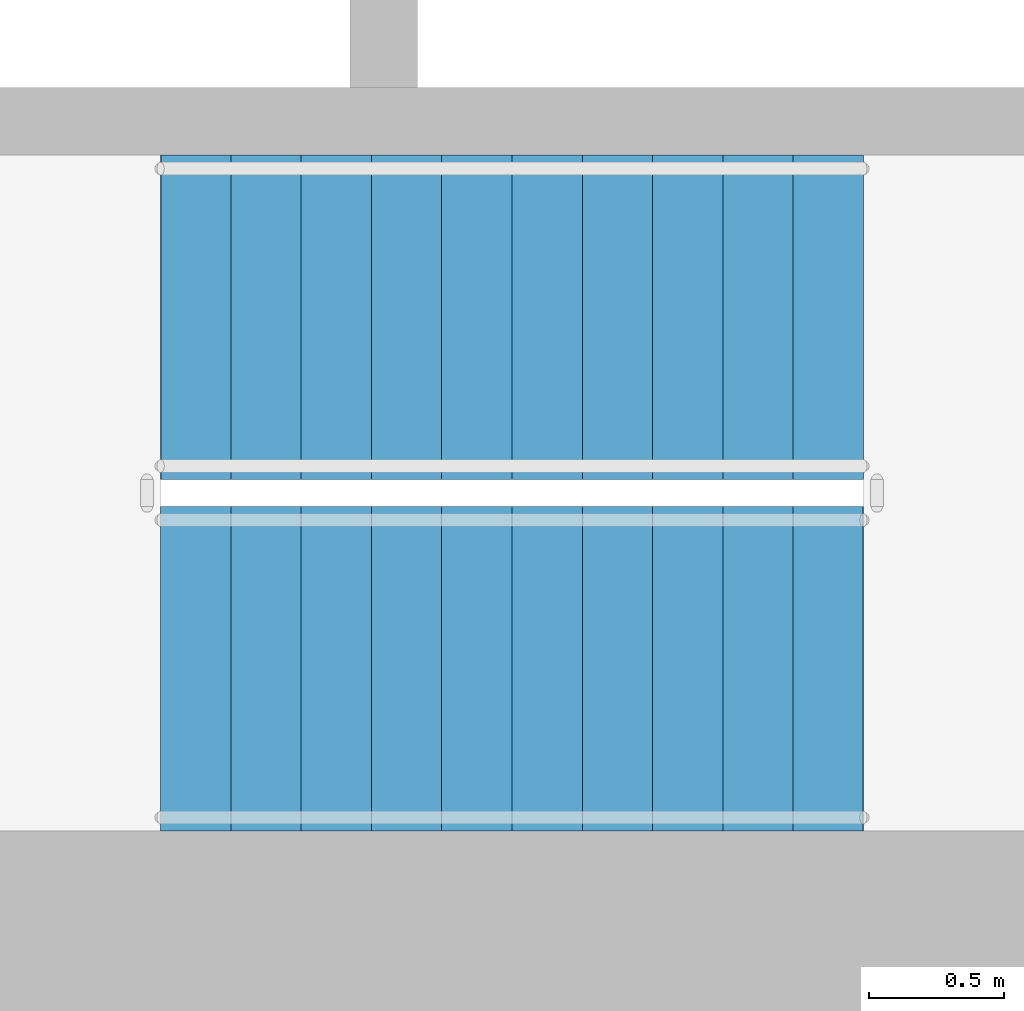
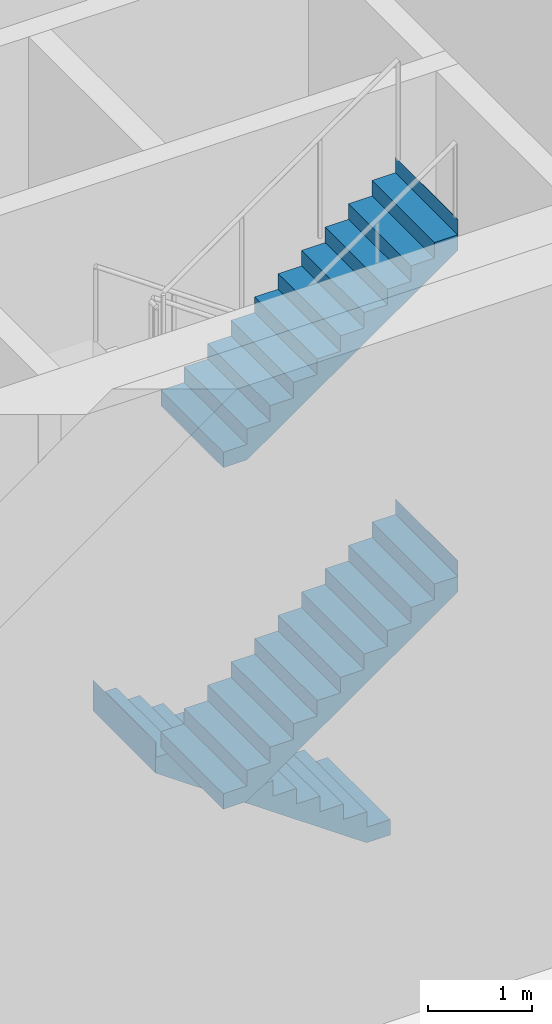
# One storey, part 25 of 36: 3 stair flights, 1 element without a shape of its own.
"""IFC4 building model written with IfcOpenShell, lengths in metres."""

from ifc_helpers import new_model, si_unit, direction, frame, origin, place, context, subcontext, project, spatial, triangles, material, type_object, element, aggregate, save


model = new_model("IFC4")

# Units and contexts
model_context = context("Model", 3, precision=1e-05, world=origin(), true_north=direction((0.0, 1.0)))
body_context = subcontext(model_context, "Body", "Model", "MODEL_VIEW")
ifc_project = project(units=[si_unit("LENGTHUNIT", "METRE"), si_unit("AREAUNIT", "SQUARE_METRE"), si_unit("VOLUMEUNIT", "CUBIC_METRE"), si_unit("PLANEANGLEUNIT", "RADIAN"), si_unit("MASSUNIT", "GRAM", prefix="KILO")], contexts=[model_context])

# Site, building, storey
site_placement = place(None, origin())
site = spatial("IfcSite", under=ifc_project, at=site_placement, CompositionType="ELEMENT")
building_placement = place(site_placement, origin())
building = spatial("IfcBuilding", under=site, at=building_placement, Name="Sahrelin Media Tower", CompositionType="ELEMENT")
storey_placement = place(building_placement, origin())
storey = spatial("IfcBuildingStorey", under=building, at=storey_placement, Name="L00", CompositionType="ELEMENT", Elevation=0.0)

# Stair, stair flights
ifc_material = material(Name="Concrete C40/50", Category="concrete")
stair_type = type_object("IfcStairType", Name="Exit stair 1200", PredefinedType="HALF_TURN_STAIR", material=ifc_material)
stair_placement = place(storey_placement, origin())
stair = element("IfcStair", 1, at=stair_placement, inside=storey, type_object=stair_type, Name="L00 Exit stair ST2", PredefinedType="HALF_TURN_STAIR")
stair_flight_type = type_object("IfcStairFlightType", Name="Stair flight 1200", PredefinedType="STRAIGHT", material=ifc_material)
stair_flight_1_placement = place(storey_placement, frame((7.675048828125, -4.699951171875, 0.0), z_axis=(0.0, 0.0, 1.0), x_axis=(-1.0, 0.0, 0.0)))
stair_flight_1 = element("IfcStairFlight", 2, at=stair_flight_1_placement, type_object=stair_flight_type, Name="ST2 flight 1", NumberOfRisers=11, NumberOfTreads=10, PredefinedType="STRAIGHT", RiserHeight=0.181818182, TreadLength=0.26, context=body_context, shape_type="Tessellation", body=[
    triangles([(0.261474609375, 0.60009765625, 0.0), (0.261474609375, 0.300048828125, 0.0), (0.261474609375, 0.0, 0.0), (0.261474609375, -0.300048828125, 0.0), (0.261474609375, -0.60009765625, 0.0), (2.60009765625, 0.60009765625, 1.63525390625), (2.60009765625, 0.300048828125, 1.63525390625), (2.60009765625, 0.0, 1.63525390625), (2.60009765625, -0.300048828125, 1.63525390625), (2.60009765625, -0.60009765625, 1.63525390625), (2.60009765625, 0.60009765625, 2.0), (2.60009765625, 0.300048828125, 2.0), (2.60009765625, 0.0, 2.0), (2.60009765625, -0.300048828125, 2.0), (2.60009765625, -0.60009765625, 2.0), (2.597900390625, 0.60009765625, 2.0), (2.597900390625, 0.300048828125, 2.0), (2.597900390625, 0.0, 2.0), (2.597900390625, -0.300048828125, 2.0), (2.597900390625, -0.60009765625, 2.0), (2.597900390625, 0.60009765625, 1.818115234375), (2.597900390625, 0.300048828125, 1.818115234375), (2.597900390625, 0.0, 1.818115234375), (2.597900390625, -0.300048828125, 1.818115234375), (2.597900390625, -0.60009765625, 1.818115234375), (2.340087890625, 0.60009765625, 1.818115234375), (2.340087890625, 0.300048828125, 1.818115234375), (2.340087890625, 0.0, 1.818115234375), (2.340087890625, -0.300048828125, 1.818115234375), (2.340087890625, -0.60009765625, 1.818115234375), (2.340087890625, 0.60009765625, 1.636474609375), (2.340087890625, 0.300048828125, 1.636474609375), (2.340087890625, 0.0, 1.636474609375), (2.340087890625, -0.300048828125, 1.636474609375), (2.340087890625, -0.60009765625, 1.636474609375), (2.080078125, 0.60009765625, 1.636474609375), (2.080078125, 0.300048828125, 1.636474609375), (2.080078125, 0.0, 1.636474609375), (2.080078125, -0.300048828125, 1.636474609375), (2.080078125, -0.60009765625, 1.636474609375), (2.080078125, 0.60009765625, 1.45458984375), (2.080078125, 0.300048828125, 1.45458984375), (2.080078125, 0.0, 1.45458984375), (2.080078125, -0.300048828125, 1.45458984375), (2.080078125, -0.60009765625, 1.45458984375), (1.820068359375, 0.60009765625, 1.45458984375), (1.820068359375, 0.300048828125, 1.45458984375), (1.820068359375, 0.0, 1.45458984375), (1.820068359375, -0.300048828125, 1.45458984375), (1.820068359375, -0.60009765625, 1.45458984375), (1.820068359375, 0.60009765625, 1.272705078125), (1.820068359375, 0.300048828125, 1.272705078125), (1.820068359375, 0.0, 1.272705078125), (1.820068359375, -0.300048828125, 1.272705078125), (1.820068359375, -0.60009765625, 1.272705078125), (1.56005859375, 0.60009765625, 1.272705078125), (1.56005859375, 0.300048828125, 1.272705078125), (1.56005859375, 0.0, 1.272705078125), (1.56005859375, -0.300048828125, 1.272705078125), (1.56005859375, -0.60009765625, 1.272705078125), (1.56005859375, 0.60009765625, 1.0908203125), (1.56005859375, 0.300048828125, 1.0908203125), (1.56005859375, 0.0, 1.0908203125), (1.56005859375, -0.300048828125, 1.0908203125), (1.56005859375, -0.60009765625, 1.0908203125), (1.300048828125, 0.60009765625, 1.0908203125), (1.300048828125, 0.300048828125, 1.0908203125), (1.300048828125, 0.0, 1.0908203125), (1.300048828125, -0.300048828125, 1.0908203125), (1.300048828125, -0.60009765625, 1.0908203125), (1.300048828125, 0.60009765625, 0.9091796875), (1.300048828125, 0.300048828125, 0.9091796875), (1.300048828125, 0.0, 0.9091796875), (1.300048828125, -0.300048828125, 0.9091796875), (1.300048828125, -0.60009765625, 0.9091796875), (1.0400390625, 0.60009765625, 0.9091796875), (1.0400390625, 0.300048828125, 0.9091796875), (1.0400390625, 0.0, 0.9091796875), (1.0400390625, -0.300048828125, 0.9091796875), (1.0400390625, -0.60009765625, 0.9091796875), (1.0400390625, 0.60009765625, 0.727294921875), (1.0400390625, 0.300048828125, 0.727294921875), (1.0400390625, 0.0, 0.727294921875), (1.0400390625, -0.300048828125, 0.727294921875), (1.0400390625, -0.60009765625, 0.727294921875), (0.780029296875, 0.60009765625, 0.727294921875), (0.780029296875, 0.300048828125, 0.727294921875), (0.780029296875, 0.0, 0.727294921875), (0.780029296875, -0.300048828125, 0.727294921875), (0.780029296875, -0.60009765625, 0.727294921875), (0.780029296875, 0.60009765625, 0.54541015625), (0.780029296875, 0.300048828125, 0.54541015625), (0.780029296875, 0.0, 0.54541015625), (0.780029296875, -0.300048828125, 0.54541015625), (0.780029296875, -0.60009765625, 0.54541015625), (0.52001953125, 0.60009765625, 0.54541015625), (0.52001953125, 0.300048828125, 0.54541015625), (0.52001953125, 0.0, 0.54541015625), (0.52001953125, -0.300048828125, 0.54541015625), (0.52001953125, -0.60009765625, 0.54541015625), (0.52001953125, 0.60009765625, 0.363525390625), (0.52001953125, 0.300048828125, 0.363525390625), (0.52001953125, 0.0, 0.363525390625), (0.52001953125, -0.300048828125, 0.363525390625), (0.52001953125, -0.60009765625, 0.363525390625), (0.260009765625, 0.60009765625, 0.363525390625), (0.260009765625, 0.300048828125, 0.363525390625), (0.260009765625, 0.0, 0.363525390625), (0.260009765625, -0.300048828125, 0.363525390625), (0.260009765625, -0.60009765625, 0.363525390625), (0.260009765625, 0.60009765625, 0.181884765625), (0.260009765625, 0.300048828125, 0.181884765625), (0.260009765625, 0.0, 0.181884765625), (0.260009765625, -0.300048828125, 0.181884765625), (0.260009765625, -0.60009765625, 0.181884765625), (0.0, 0.60009765625, 0.181884765625), (0.0, 0.300048828125, 0.181884765625), (0.0, 0.0, 0.181884765625), (0.0, -0.300048828125, 0.181884765625), (0.0, -0.60009765625, 0.181884765625), (0.0, 0.60009765625, 0.0), (0.0, 0.300048828125, 0.0), (0.0, 0.0, 0.0), (0.0, -0.300048828125, 0.0), (0.0, -0.60009765625, 0.0)], [[1, 6, 7], [1, 7, 2], [2, 7, 8], [2, 8, 3], [3, 8, 9], [3, 9, 4], [4, 9, 10], [4, 10, 5], [6, 11, 12], [6, 12, 7], [7, 12, 13], [7, 13, 8], [8, 13, 14], [8, 14, 9], [9, 14, 15], [9, 15, 10], [11, 16, 17], [11, 17, 12], [12, 17, 18], [12, 18, 13], [13, 18, 19], [13, 19, 14], [14, 19, 20], [14, 20, 15], [16, 21, 22], [16, 22, 17], [17, 22, 23], [17, 23, 18], [18, 23, 24], [18, 24, 19], [19, 24, 25], [19, 25, 20], [21, 26, 27], [21, 27, 22], [22, 27, 28], [22, 28, 23], [23, 28, 29], [23, 29, 24], [24, 29, 30], [24, 30, 25], [26, 31, 32], [26, 32, 27], [27, 32, 33], [27, 33, 28], [28, 33, 34], [28, 34, 29], [29, 34, 35], [29, 35, 30], [31, 36, 37], [31, 37, 32], [32, 37, 38], [32, 38, 33], [33, 38, 39], [33, 39, 34], [34, 39, 40], [34, 40, 35], [36, 41, 42], [36, 42, 37], [37, 42, 43], [37, 43, 38], [38, 43, 44], [38, 44, 39], [39, 44, 45], [39, 45, 40], [41, 46, 47], [41, 47, 42], [42, 47, 48], [42, 48, 43], [43, 48, 49], [43, 49, 44], [44, 49, 50], [44, 50, 45], [46, 51, 52], [46, 52, 47], [47, 52, 53], [47, 53, 48], [48, 53, 54], [48, 54, 49], [49, 54, 55], [49, 55, 50], [51, 56, 57], [51, 57, 52], [52, 57, 58], [52, 58, 53], [53, 58, 59], [53, 59, 54], [54, 59, 60], [54, 60, 55], [56, 61, 62], [56, 62, 57], [57, 62, 63], [57, 63, 58], [58, 63, 64], [58, 64, 59], [59, 64, 65], [59, 65, 60], [61, 66, 67], [61, 67, 62], [62, 67, 68], [62, 68, 63], [63, 68, 69], [63, 69, 64], [64, 69, 70], [64, 70, 65], [66, 71, 72], [66, 72, 67], [67, 72, 73], [67, 73, 68], [68, 73, 74], [68, 74, 69], [69, 74, 75], [69, 75, 70], [71, 76, 77], [71, 77, 72], [72, 77, 78], [72, 78, 73], [73, 78, 79], [73, 79, 74], [74, 79, 80], [74, 80, 75], [76, 81, 82], [76, 82, 77], [77, 82, 83], [77, 83, 78], [78, 83, 84], [78, 84, 79], [79, 84, 85], [79, 85, 80], [81, 86, 87], [81, 87, 82], [82, 87, 88], [82, 88, 83], [83, 88, 89], [83, 89, 84], [84, 89, 90], [84, 90, 85], [86, 91, 92], [86, 92, 87], [87, 92, 93], [87, 93, 88], [88, 93, 94], [88, 94, 89], [89, 94, 95], [89, 95, 90], [91, 96, 97], [91, 97, 92], [92, 97, 98], [92, 98, 93], [93, 98, 99], [93, 99, 94], [94, 99, 100], [94, 100, 95], [96, 101, 102], [96, 102, 97], [97, 102, 103], [97, 103, 98], [98, 103, 104], [98, 104, 99], [99, 104, 105], [99, 105, 100], [101, 106, 107], [101, 107, 102], [102, 107, 108], [102, 108, 103], [103, 108, 109], [103, 109, 104], [104, 109, 110], [104, 110, 105], [106, 111, 112], [106, 112, 107], [107, 112, 113], [107, 113, 108], [108, 113, 114], [108, 114, 109], [109, 114, 115], [109, 115, 110], [111, 116, 117], [111, 117, 112], [112, 117, 118], [112, 118, 113], [113, 118, 119], [113, 119, 114], [114, 119, 120], [114, 120, 115], [116, 121, 122], [116, 122, 117], [117, 122, 123], [117, 123, 118], [118, 123, 124], [118, 124, 119], [119, 124, 125], [119, 125, 120], [121, 1, 2], [121, 2, 122], [122, 2, 3], [122, 3, 123], [123, 3, 4], [123, 4, 124], [124, 4, 5], [124, 5, 125], [115, 120, 125], [111, 121, 116], [115, 105, 110], [111, 106, 101], [105, 95, 100], [101, 96, 91], [95, 85, 90], [91, 86, 81], [85, 75, 80], [81, 76, 71], [75, 65, 70], [71, 66, 61], [65, 55, 60], [61, 56, 51], [55, 45, 50], [51, 46, 41], [45, 35, 40], [41, 36, 31], [35, 25, 30], [31, 26, 21], [25, 15, 20], [21, 16, 11], [125, 5, 115], [121, 111, 1], [25, 10, 15], [21, 11, 6], [105, 115, 5], [101, 1, 111], [35, 10, 25], [31, 21, 6], [95, 105, 5], [91, 1, 101], [45, 10, 35], [41, 31, 6], [85, 95, 5], [81, 1, 91], [55, 10, 45], [51, 41, 6], [75, 85, 5], [71, 1, 81], [65, 10, 55], [61, 51, 6], [5, 10, 75], [1, 71, 6], [75, 10, 65], [71, 61, 6]], closed=True),
])
stair_flight_2_placement = place(storey_placement, frame((5.074951171875, -6.0, 2.0), z_axis=(0.0, 0.0, 1.0), x_axis=(1.0, 0.0, 0.0)))
stair_flight_2 = element("IfcStairFlight", 3, at=stair_flight_2_placement, type_object=stair_flight_type, Name="ST2 flight 2", NumberOfRisers=11, NumberOfTreads=10, PredefinedType="STRAIGHT", RiserHeight=0.181818182, TreadLength=0.26, context=body_context, shape_type="Tessellation", body=[
    triangles([(0.261474609375, 0.60009765625, 0.0), (0.261474609375, 0.300048828125, 0.0), (0.261474609375, 0.0, 0.0), (0.261474609375, -0.300048828125, 0.0), (0.261474609375, -0.60009765625, 0.0), (2.60009765625, 0.60009765625, 1.63525390625), (2.60009765625, 0.300048828125, 1.63525390625), (2.60009765625, 0.0, 1.63525390625), (2.60009765625, -0.300048828125, 1.63525390625), (2.60009765625, -0.60009765625, 1.63525390625), (2.60009765625, 0.60009765625, 2.0), (2.60009765625, 0.300048828125, 2.0), (2.60009765625, 0.0, 2.0), (2.60009765625, -0.300048828125, 2.0), (2.60009765625, -0.60009765625, 2.0), (2.597900390625, 0.60009765625, 2.0), (2.597900390625, 0.300048828125, 2.0), (2.597900390625, 0.0, 2.0), (2.597900390625, -0.300048828125, 2.0), (2.597900390625, -0.60009765625, 2.0), (2.597900390625, 0.60009765625, 1.818115234375), (2.597900390625, 0.300048828125, 1.818115234375), (2.597900390625, 0.0, 1.818115234375), (2.597900390625, -0.300048828125, 1.818115234375), (2.597900390625, -0.60009765625, 1.818115234375), (2.340087890625, 0.60009765625, 1.818115234375), (2.340087890625, 0.300048828125, 1.818115234375), (2.340087890625, 0.0, 1.818115234375), (2.340087890625, -0.300048828125, 1.818115234375), (2.340087890625, -0.60009765625, 1.818115234375), (2.340087890625, 0.60009765625, 1.636474609375), (2.340087890625, 0.300048828125, 1.636474609375), (2.340087890625, 0.0, 1.636474609375), (2.340087890625, -0.300048828125, 1.636474609375), (2.340087890625, -0.60009765625, 1.636474609375), (2.080078125, 0.60009765625, 1.636474609375), (2.080078125, 0.300048828125, 1.636474609375), (2.080078125, 0.0, 1.636474609375), (2.080078125, -0.300048828125, 1.636474609375), (2.080078125, -0.60009765625, 1.636474609375), (2.080078125, 0.60009765625, 1.45458984375), (2.080078125, 0.300048828125, 1.45458984375), (2.080078125, 0.0, 1.45458984375), (2.080078125, -0.300048828125, 1.45458984375), (2.080078125, -0.60009765625, 1.45458984375), (1.820068359375, 0.60009765625, 1.45458984375), (1.820068359375, 0.300048828125, 1.45458984375), (1.820068359375, 0.0, 1.45458984375), (1.820068359375, -0.300048828125, 1.45458984375), (1.820068359375, -0.60009765625, 1.45458984375), (1.820068359375, 0.60009765625, 1.272705078125), (1.820068359375, 0.300048828125, 1.272705078125), (1.820068359375, 0.0, 1.272705078125), (1.820068359375, -0.300048828125, 1.272705078125), (1.820068359375, -0.60009765625, 1.272705078125), (1.56005859375, 0.60009765625, 1.272705078125), (1.56005859375, 0.300048828125, 1.272705078125), (1.56005859375, 0.0, 1.272705078125), (1.56005859375, -0.300048828125, 1.272705078125), (1.56005859375, -0.60009765625, 1.272705078125), (1.56005859375, 0.60009765625, 1.0908203125), (1.56005859375, 0.300048828125, 1.0908203125), (1.56005859375, 0.0, 1.0908203125), (1.56005859375, -0.300048828125, 1.0908203125), (1.56005859375, -0.60009765625, 1.0908203125), (1.300048828125, 0.60009765625, 1.0908203125), (1.300048828125, 0.300048828125, 1.0908203125), (1.300048828125, 0.0, 1.0908203125), (1.300048828125, -0.300048828125, 1.0908203125), (1.300048828125, -0.60009765625, 1.0908203125), (1.300048828125, 0.60009765625, 0.9091796875), (1.300048828125, 0.300048828125, 0.9091796875), (1.300048828125, 0.0, 0.9091796875), (1.300048828125, -0.300048828125, 0.9091796875), (1.300048828125, -0.60009765625, 0.9091796875), (1.0400390625, 0.60009765625, 0.9091796875), (1.0400390625, 0.300048828125, 0.9091796875), (1.0400390625, 0.0, 0.9091796875), (1.0400390625, -0.300048828125, 0.9091796875), (1.0400390625, -0.60009765625, 0.9091796875), (1.0400390625, 0.60009765625, 0.727294921875), (1.0400390625, 0.300048828125, 0.727294921875), (1.0400390625, 0.0, 0.727294921875), (1.0400390625, -0.300048828125, 0.727294921875), (1.0400390625, -0.60009765625, 0.727294921875), (0.780029296875, 0.60009765625, 0.727294921875), (0.780029296875, 0.300048828125, 0.727294921875), (0.780029296875, 0.0, 0.727294921875), (0.780029296875, -0.300048828125, 0.727294921875), (0.780029296875, -0.60009765625, 0.727294921875), (0.780029296875, 0.60009765625, 0.54541015625), (0.780029296875, 0.300048828125, 0.54541015625), (0.780029296875, 0.0, 0.54541015625), (0.780029296875, -0.300048828125, 0.54541015625), (0.780029296875, -0.60009765625, 0.54541015625), (0.52001953125, 0.60009765625, 0.54541015625), (0.52001953125, 0.300048828125, 0.54541015625), (0.52001953125, 0.0, 0.54541015625), (0.52001953125, -0.300048828125, 0.54541015625), (0.52001953125, -0.60009765625, 0.54541015625), (0.52001953125, 0.60009765625, 0.363525390625), (0.52001953125, 0.300048828125, 0.363525390625), (0.52001953125, 0.0, 0.363525390625), (0.52001953125, -0.300048828125, 0.363525390625), (0.52001953125, -0.60009765625, 0.363525390625), (0.260009765625, 0.60009765625, 0.363525390625), (0.260009765625, 0.300048828125, 0.363525390625), (0.260009765625, 0.0, 0.363525390625), (0.260009765625, -0.300048828125, 0.363525390625), (0.260009765625, -0.60009765625, 0.363525390625), (0.260009765625, 0.60009765625, 0.181884765625), (0.260009765625, 0.300048828125, 0.181884765625), (0.260009765625, 0.0, 0.181884765625), (0.260009765625, -0.300048828125, 0.181884765625), (0.260009765625, -0.60009765625, 0.181884765625), (0.0, 0.60009765625, 0.181884765625), (0.0, 0.300048828125, 0.181884765625), (0.0, 0.0, 0.181884765625), (0.0, -0.300048828125, 0.181884765625), (0.0, -0.60009765625, 0.181884765625), (0.0, 0.60009765625, 0.0), (0.0, 0.300048828125, 0.0), (0.0, 0.0, 0.0), (0.0, -0.300048828125, 0.0), (0.0, -0.60009765625, 0.0)], [[1, 6, 7], [1, 7, 2], [2, 7, 8], [2, 8, 3], [3, 8, 9], [3, 9, 4], [4, 9, 10], [4, 10, 5], [6, 11, 12], [6, 12, 7], [7, 12, 13], [7, 13, 8], [8, 13, 14], [8, 14, 9], [9, 14, 15], [9, 15, 10], [11, 16, 17], [11, 17, 12], [12, 17, 18], [12, 18, 13], [13, 18, 19], [13, 19, 14], [14, 19, 20], [14, 20, 15], [16, 21, 22], [16, 22, 17], [17, 22, 23], [17, 23, 18], [18, 23, 24], [18, 24, 19], [19, 24, 25], [19, 25, 20], [21, 26, 27], [21, 27, 22], [22, 27, 28], [22, 28, 23], [23, 28, 29], [23, 29, 24], [24, 29, 30], [24, 30, 25], [26, 31, 32], [26, 32, 27], [27, 32, 33], [27, 33, 28], [28, 33, 34], [28, 34, 29], [29, 34, 35], [29, 35, 30], [31, 36, 37], [31, 37, 32], [32, 37, 38], [32, 38, 33], [33, 38, 39], [33, 39, 34], [34, 39, 40], [34, 40, 35], [36, 41, 42], [36, 42, 37], [37, 42, 43], [37, 43, 38], [38, 43, 44], [38, 44, 39], [39, 44, 45], [39, 45, 40], [41, 46, 47], [41, 47, 42], [42, 47, 48], [42, 48, 43], [43, 48, 49], [43, 49, 44], [44, 49, 50], [44, 50, 45], [46, 51, 52], [46, 52, 47], [47, 52, 53], [47, 53, 48], [48, 53, 54], [48, 54, 49], [49, 54, 55], [49, 55, 50], [51, 56, 57], [51, 57, 52], [52, 57, 58], [52, 58, 53], [53, 58, 59], [53, 59, 54], [54, 59, 60], [54, 60, 55], [56, 61, 62], [56, 62, 57], [57, 62, 63], [57, 63, 58], [58, 63, 64], [58, 64, 59], [59, 64, 65], [59, 65, 60], [61, 66, 67], [61, 67, 62], [62, 67, 68], [62, 68, 63], [63, 68, 69], [63, 69, 64], [64, 69, 70], [64, 70, 65], [66, 71, 72], [66, 72, 67], [67, 72, 73], [67, 73, 68], [68, 73, 74], [68, 74, 69], [69, 74, 75], [69, 75, 70], [71, 76, 77], [71, 77, 72], [72, 77, 78], [72, 78, 73], [73, 78, 79], [73, 79, 74], [74, 79, 80], [74, 80, 75], [76, 81, 82], [76, 82, 77], [77, 82, 83], [77, 83, 78], [78, 83, 84], [78, 84, 79], [79, 84, 85], [79, 85, 80], [81, 86, 87], [81, 87, 82], [82, 87, 88], [82, 88, 83], [83, 88, 89], [83, 89, 84], [84, 89, 90], [84, 90, 85], [86, 91, 92], [86, 92, 87], [87, 92, 93], [87, 93, 88], [88, 93, 94], [88, 94, 89], [89, 94, 95], [89, 95, 90], [91, 96, 97], [91, 97, 92], [92, 97, 98], [92, 98, 93], [93, 98, 99], [93, 99, 94], [94, 99, 100], [94, 100, 95], [96, 101, 102], [96, 102, 97], [97, 102, 103], [97, 103, 98], [98, 103, 104], [98, 104, 99], [99, 104, 105], [99, 105, 100], [101, 106, 107], [101, 107, 102], [102, 107, 108], [102, 108, 103], [103, 108, 109], [103, 109, 104], [104, 109, 110], [104, 110, 105], [106, 111, 112], [106, 112, 107], [107, 112, 113], [107, 113, 108], [108, 113, 114], [108, 114, 109], [109, 114, 115], [109, 115, 110], [111, 116, 117], [111, 117, 112], [112, 117, 118], [112, 118, 113], [113, 118, 119], [113, 119, 114], [114, 119, 120], [114, 120, 115], [116, 121, 122], [116, 122, 117], [117, 122, 123], [117, 123, 118], [118, 123, 124], [118, 124, 119], [119, 124, 125], [119, 125, 120], [121, 1, 2], [121, 2, 122], [122, 2, 3], [122, 3, 123], [123, 3, 4], [123, 4, 124], [124, 4, 5], [124, 5, 125], [115, 120, 125], [111, 121, 116], [115, 105, 110], [111, 106, 101], [105, 95, 100], [101, 96, 91], [95, 85, 90], [91, 86, 81], [85, 75, 80], [81, 76, 71], [75, 65, 70], [71, 66, 61], [65, 55, 60], [61, 56, 51], [55, 45, 50], [51, 46, 41], [45, 35, 40], [41, 36, 31], [35, 25, 30], [31, 26, 21], [25, 15, 20], [21, 16, 11], [125, 5, 115], [121, 111, 1], [25, 10, 15], [21, 11, 6], [105, 115, 5], [101, 1, 111], [35, 10, 25], [31, 21, 6], [95, 105, 5], [91, 1, 101], [45, 10, 35], [41, 31, 6], [85, 95, 5], [81, 1, 91], [55, 10, 45], [51, 41, 6], [75, 85, 5], [71, 1, 81], [65, 10, 55], [61, 51, 6], [5, 10, 75], [1, 71, 6], [75, 10, 65], [71, 61, 6]], closed=True),
])
stair_flight_3_placement = place(storey_placement, frame((5.074951171875, -6.0, 6.0), z_axis=(0.0, 0.0, 1.0), x_axis=(1.0, 0.0, 0.0)))
stair_flight_3 = element("IfcStairFlight", 4, at=stair_flight_3_placement, type_object=stair_flight_type, Name="ST2 flight 4", NumberOfRisers=11, NumberOfTreads=10, PredefinedType="STRAIGHT", RiserHeight=0.181818182, TreadLength=0.26, context=body_context, shape_type="Tessellation", body=[
    triangles([(0.261474609375, 0.60009765625, 0.0), (0.261474609375, 0.300048828125, 0.0), (0.261474609375, 0.0, 0.0), (0.261474609375, -0.300048828125, 0.0), (0.261474609375, -0.60009765625, 0.0), (2.60009765625, 0.60009765625, 1.63525390625), (2.60009765625, 0.300048828125, 1.63525390625), (2.60009765625, 0.0, 1.63525390625), (2.60009765625, -0.300048828125, 1.63525390625), (2.60009765625, -0.60009765625, 1.63525390625), (2.60009765625, 0.60009765625, 2.0), (2.60009765625, 0.300048828125, 2.0), (2.60009765625, 0.0, 2.0), (2.60009765625, -0.300048828125, 2.0), (2.60009765625, -0.60009765625, 2.0), (2.597900390625, 0.60009765625, 2.0), (2.597900390625, 0.300048828125, 2.0), (2.597900390625, 0.0, 2.0), (2.597900390625, -0.300048828125, 2.0), (2.597900390625, -0.60009765625, 2.0), (2.597900390625, 0.60009765625, 1.818115234375), (2.597900390625, 0.300048828125, 1.818115234375), (2.597900390625, 0.0, 1.818115234375), (2.597900390625, -0.300048828125, 1.818115234375), (2.597900390625, -0.60009765625, 1.818115234375), (2.340087890625, 0.60009765625, 1.818115234375), (2.340087890625, 0.300048828125, 1.818115234375), (2.340087890625, 0.0, 1.818115234375), (2.340087890625, -0.300048828125, 1.818115234375), (2.340087890625, -0.60009765625, 1.818115234375), (2.340087890625, 0.60009765625, 1.636474609375), (2.340087890625, 0.300048828125, 1.636474609375), (2.340087890625, 0.0, 1.636474609375), (2.340087890625, -0.300048828125, 1.636474609375), (2.340087890625, -0.60009765625, 1.636474609375), (2.080078125, 0.60009765625, 1.636474609375), (2.080078125, 0.300048828125, 1.636474609375), (2.080078125, 0.0, 1.636474609375), (2.080078125, -0.300048828125, 1.636474609375), (2.080078125, -0.60009765625, 1.636474609375), (2.080078125, 0.60009765625, 1.45458984375), (2.080078125, 0.300048828125, 1.45458984375), (2.080078125, 0.0, 1.45458984375), (2.080078125, -0.300048828125, 1.45458984375), (2.080078125, -0.60009765625, 1.45458984375), (1.820068359375, 0.60009765625, 1.45458984375), (1.820068359375, 0.300048828125, 1.45458984375), (1.820068359375, 0.0, 1.45458984375), (1.820068359375, -0.300048828125, 1.45458984375), (1.820068359375, -0.60009765625, 1.45458984375), (1.820068359375, 0.60009765625, 1.272705078125), (1.820068359375, 0.300048828125, 1.272705078125), (1.820068359375, 0.0, 1.272705078125), (1.820068359375, -0.300048828125, 1.272705078125), (1.820068359375, -0.60009765625, 1.272705078125), (1.56005859375, 0.60009765625, 1.272705078125), (1.56005859375, 0.300048828125, 1.272705078125), (1.56005859375, 0.0, 1.272705078125), (1.56005859375, -0.300048828125, 1.272705078125), (1.56005859375, -0.60009765625, 1.272705078125), (1.56005859375, 0.60009765625, 1.0908203125), (1.56005859375, 0.300048828125, 1.0908203125), (1.56005859375, 0.0, 1.0908203125), (1.56005859375, -0.300048828125, 1.0908203125), (1.56005859375, -0.60009765625, 1.0908203125), (1.300048828125, 0.60009765625, 1.0908203125), (1.300048828125, 0.300048828125, 1.0908203125), (1.300048828125, 0.0, 1.0908203125), (1.300048828125, -0.300048828125, 1.0908203125), (1.300048828125, -0.60009765625, 1.0908203125), (1.300048828125, 0.60009765625, 0.9091796875), (1.300048828125, 0.300048828125, 0.9091796875), (1.300048828125, 0.0, 0.9091796875), (1.300048828125, -0.300048828125, 0.9091796875), (1.300048828125, -0.60009765625, 0.9091796875), (1.0400390625, 0.60009765625, 0.9091796875), (1.0400390625, 0.300048828125, 0.9091796875), (1.0400390625, 0.0, 0.9091796875), (1.0400390625, -0.300048828125, 0.9091796875), (1.0400390625, -0.60009765625, 0.9091796875), (1.0400390625, 0.60009765625, 0.727294921875), (1.0400390625, 0.300048828125, 0.727294921875), (1.0400390625, 0.0, 0.727294921875), (1.0400390625, -0.300048828125, 0.727294921875), (1.0400390625, -0.60009765625, 0.727294921875), (0.780029296875, 0.60009765625, 0.727294921875), (0.780029296875, 0.300048828125, 0.727294921875), (0.780029296875, 0.0, 0.727294921875), (0.780029296875, -0.300048828125, 0.727294921875), (0.780029296875, -0.60009765625, 0.727294921875), (0.780029296875, 0.60009765625, 0.54541015625), (0.780029296875, 0.300048828125, 0.54541015625), (0.780029296875, 0.0, 0.54541015625), (0.780029296875, -0.300048828125, 0.54541015625), (0.780029296875, -0.60009765625, 0.54541015625), (0.52001953125, 0.60009765625, 0.54541015625), (0.52001953125, 0.300048828125, 0.54541015625), (0.52001953125, 0.0, 0.54541015625), (0.52001953125, -0.300048828125, 0.54541015625), (0.52001953125, -0.60009765625, 0.54541015625), (0.52001953125, 0.60009765625, 0.363525390625), (0.52001953125, 0.300048828125, 0.363525390625), (0.52001953125, 0.0, 0.363525390625), (0.52001953125, -0.300048828125, 0.363525390625), (0.52001953125, -0.60009765625, 0.363525390625), (0.260009765625, 0.60009765625, 0.363525390625), (0.260009765625, 0.300048828125, 0.363525390625), (0.260009765625, 0.0, 0.363525390625), (0.260009765625, -0.300048828125, 0.363525390625), (0.260009765625, -0.60009765625, 0.363525390625), (0.260009765625, 0.60009765625, 0.181884765625), (0.260009765625, 0.300048828125, 0.181884765625), (0.260009765625, 0.0, 0.181884765625), (0.260009765625, -0.300048828125, 0.181884765625), (0.260009765625, -0.60009765625, 0.181884765625), (0.0, 0.60009765625, 0.181884765625), (0.0, 0.300048828125, 0.181884765625), (0.0, 0.0, 0.181884765625), (0.0, -0.300048828125, 0.181884765625), (0.0, -0.60009765625, 0.181884765625), (0.0, 0.60009765625, 0.0), (0.0, 0.300048828125, 0.0), (0.0, 0.0, 0.0), (0.0, -0.300048828125, 0.0), (0.0, -0.60009765625, 0.0)], [[1, 6, 7], [1, 7, 2], [2, 7, 8], [2, 8, 3], [3, 8, 9], [3, 9, 4], [4, 9, 10], [4, 10, 5], [6, 11, 12], [6, 12, 7], [7, 12, 13], [7, 13, 8], [8, 13, 14], [8, 14, 9], [9, 14, 15], [9, 15, 10], [11, 16, 17], [11, 17, 12], [12, 17, 18], [12, 18, 13], [13, 18, 19], [13, 19, 14], [14, 19, 20], [14, 20, 15], [16, 21, 22], [16, 22, 17], [17, 22, 23], [17, 23, 18], [18, 23, 24], [18, 24, 19], [19, 24, 25], [19, 25, 20], [21, 26, 27], [21, 27, 22], [22, 27, 28], [22, 28, 23], [23, 28, 29], [23, 29, 24], [24, 29, 30], [24, 30, 25], [26, 31, 32], [26, 32, 27], [27, 32, 33], [27, 33, 28], [28, 33, 34], [28, 34, 29], [29, 34, 35], [29, 35, 30], [31, 36, 37], [31, 37, 32], [32, 37, 38], [32, 38, 33], [33, 38, 39], [33, 39, 34], [34, 39, 40], [34, 40, 35], [36, 41, 42], [36, 42, 37], [37, 42, 43], [37, 43, 38], [38, 43, 44], [38, 44, 39], [39, 44, 45], [39, 45, 40], [41, 46, 47], [41, 47, 42], [42, 47, 48], [42, 48, 43], [43, 48, 49], [43, 49, 44], [44, 49, 50], [44, 50, 45], [46, 51, 52], [46, 52, 47], [47, 52, 53], [47, 53, 48], [48, 53, 54], [48, 54, 49], [49, 54, 55], [49, 55, 50], [51, 56, 57], [51, 57, 52], [52, 57, 58], [52, 58, 53], [53, 58, 59], [53, 59, 54], [54, 59, 60], [54, 60, 55], [56, 61, 62], [56, 62, 57], [57, 62, 63], [57, 63, 58], [58, 63, 64], [58, 64, 59], [59, 64, 65], [59, 65, 60], [61, 66, 67], [61, 67, 62], [62, 67, 68], [62, 68, 63], [63, 68, 69], [63, 69, 64], [64, 69, 70], [64, 70, 65], [66, 71, 72], [66, 72, 67], [67, 72, 73], [67, 73, 68], [68, 73, 74], [68, 74, 69], [69, 74, 75], [69, 75, 70], [71, 76, 77], [71, 77, 72], [72, 77, 78], [72, 78, 73], [73, 78, 79], [73, 79, 74], [74, 79, 80], [74, 80, 75], [76, 81, 82], [76, 82, 77], [77, 82, 83], [77, 83, 78], [78, 83, 84], [78, 84, 79], [79, 84, 85], [79, 85, 80], [81, 86, 87], [81, 87, 82], [82, 87, 88], [82, 88, 83], [83, 88, 89], [83, 89, 84], [84, 89, 90], [84, 90, 85], [86, 91, 92], [86, 92, 87], [87, 92, 93], [87, 93, 88], [88, 93, 94], [88, 94, 89], [89, 94, 95], [89, 95, 90], [91, 96, 97], [91, 97, 92], [92, 97, 98], [92, 98, 93], [93, 98, 99], [93, 99, 94], [94, 99, 100], [94, 100, 95], [96, 101, 102], [96, 102, 97], [97, 102, 103], [97, 103, 98], [98, 103, 104], [98, 104, 99], [99, 104, 105], [99, 105, 100], [101, 106, 107], [101, 107, 102], [102, 107, 108], [102, 108, 103], [103, 108, 109], [103, 109, 104], [104, 109, 110], [104, 110, 105], [106, 111, 112], [106, 112, 107], [107, 112, 113], [107, 113, 108], [108, 113, 114], [108, 114, 109], [109, 114, 115], [109, 115, 110], [111, 116, 117], [111, 117, 112], [112, 117, 118], [112, 118, 113], [113, 118, 119], [113, 119, 114], [114, 119, 120], [114, 120, 115], [116, 121, 122], [116, 122, 117], [117, 122, 123], [117, 123, 118], [118, 123, 124], [118, 124, 119], [119, 124, 125], [119, 125, 120], [121, 1, 2], [121, 2, 122], [122, 2, 3], [122, 3, 123], [123, 3, 4], [123, 4, 124], [124, 4, 5], [124, 5, 125], [115, 120, 125], [111, 121, 116], [115, 105, 110], [111, 106, 101], [105, 95, 100], [101, 96, 91], [95, 85, 90], [91, 86, 81], [85, 75, 80], [81, 76, 71], [75, 65, 70], [71, 66, 61], [65, 55, 60], [61, 56, 51], [55, 45, 50], [51, 46, 41], [45, 35, 40], [41, 36, 31], [35, 25, 30], [31, 26, 21], [25, 15, 20], [21, 16, 11], [125, 5, 115], [121, 111, 1], [25, 10, 15], [21, 11, 6], [105, 115, 5], [101, 1, 111], [35, 10, 25], [31, 21, 6], [95, 105, 5], [91, 1, 101], [45, 10, 35], [41, 31, 6], [85, 95, 5], [81, 1, 91], [55, 10, 45], [51, 41, 6], [75, 85, 5], [71, 1, 81], [65, 10, 55], [61, 51, 6], [5, 10, 75], [1, 71, 6], [75, 10, 65], [71, 61, 6]], closed=True),
])
aggregate(stair, [stair_flight_1, stair_flight_2, stair_flight_3])

save(model, "model.ifc")
